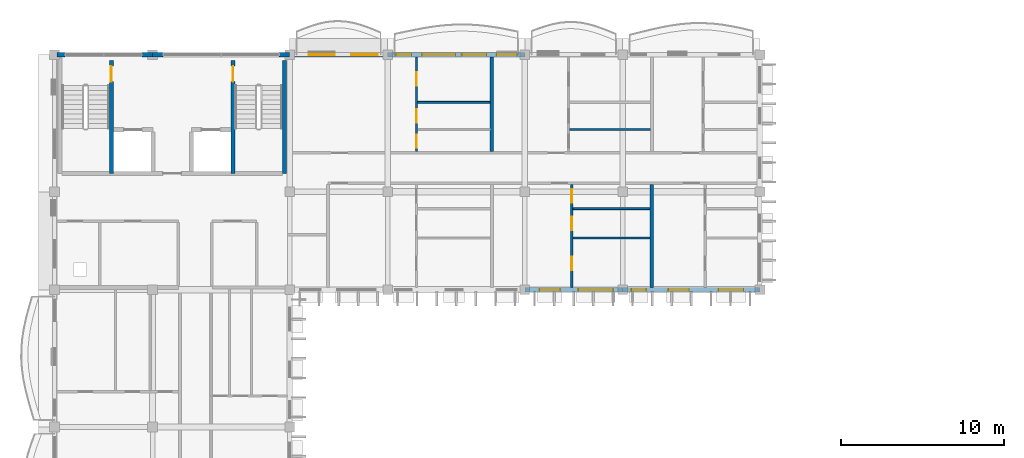
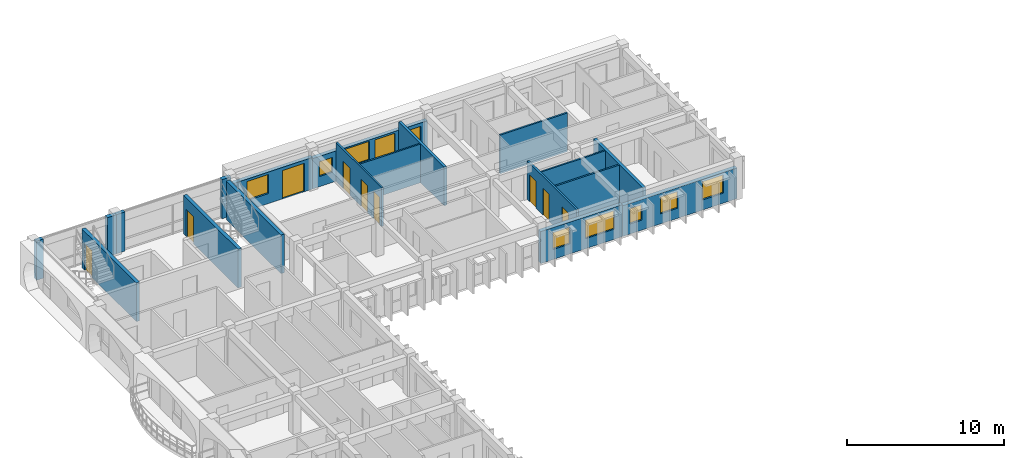
# One storey, part 20 of 59: 19 walls, 10 doors, 9 windows, 19 openings.
"""IFC4 building model written with IfcOpenShell, lengths in metres."""

from ifc_helpers import new_model, si_unit, direction, frame, frame_2d, origin, place, context, subcontext, project, spatial, rectangle, extrude, material, layer, layer_set, type_object, element, fill, save


model = new_model("IFC4")

# Units and contexts
model_context = context("Model", 3, precision=1e-05, world=origin(), true_north=direction((0.0, 1.0)))
body_context = subcontext(model_context, "Body", "Model", "MODEL_VIEW")
ifc_project = project(units=[si_unit("LENGTHUNIT", "METRE"), si_unit("AREAUNIT", "SQUARE_METRE"), si_unit("VOLUMEUNIT", "CUBIC_METRE"), si_unit("PLANEANGLEUNIT", "RADIAN"), si_unit("MASSUNIT", "GRAM", prefix="KILO"), si_unit("THERMODYNAMICTEMPERATUREUNIT", "KELVIN")], contexts=[model_context])

# Site, building, storey
site_placement = place(None, origin())
site = spatial("IfcSite", under=ifc_project, at=site_placement, CompositionType="ELEMENT")
building_placement = place(site_placement, origin())
building = spatial("IfcBuilding", under=site, at=building_placement, Name="Thalorik Housing Commons", CompositionType="ELEMENT")
storey_placement = place(building_placement, frame((0.0, 0.0, 27.89990234375)))
storey = spatial("IfcBuildingStorey", under=building, at=storey_placement, Name="L08", CompositionType="ELEMENT", Elevation=27.89990234375)

# Wall, opening, door
ifc_material_1 = material(Name="Concrete C40/50", Category="concrete")
ifc_layer_1 = layer(ifc_material_1, 0.25, Name="Concrete C40/50", Category="concrete")
ifc_layer_set_1 = layer_set([ifc_layer_1], Name="Concrete C40/50")
wall_type_1 = type_object("IfcWallType", Name="ARC-WAL-CORE-250", PredefinedType="SHEAR", material=ifc_layer_set_1)
wall_1_placement = place(storey_placement, frame((11.875, 123.25, 0.0), z_axis=(0.0, 0.0, 1.0), x_axis=(0.0, -1.0, 0.0)))
wall_1 = element("IfcWall", 1, at=wall_1_placement, inside=storey, type_object=wall_type_1, Name="L08 Core A Stair 1 Shear Wall", PredefinedType="SHEAR", context=body_context, shape_type="SweptSolid", body=[
    extrude(rectangle(XDim=6.925048828125, YDim=0.25, at=frame_2d((3.46240234375, 0.0))), origin(), (0.0, 0.0, 1.0), 3.0),
])
opening_1_placement = place(wall_1_placement, frame((0.35009765625, 0.0, 0.0)))
opening_1 = element("IfcOpeningElement", 2, at=opening_1_placement, cuts=wall_1, Name="Opening ID-0073", PredefinedType="OPENING", context=body_context, shape_type="SweptSolid", body=[
    extrude(rectangle(XDim=0.949951171875, YDim=2.10009765625, at=frame_2d((0.47509765625, 1.050048828125))), frame((0.0, 0.135009765625, 0.0), z_axis=(0.0, -1.0, 0.0), x_axis=(1.0, 0.0, 0.0)), (0.0, 0.0, 1.0), 0.27001953125),
])
ifc_material_2 = material(Name="Steel S355", Category="steel")
door_type_1 = type_object("IfcDoorType", Name="ARC-DR-FD60-950", OperationType="NOTDEFINED", PredefinedType="DOOR", material=ifc_material_2)
door_1_placement = place(opening_1_placement, origin())
door_1 = element("IfcDoor", 3, at=door_1_placement, inside=storey, type_object=door_type_1, Name="L08 Stair ST-A1 Fire Door", OperationType="SINGLE_SWING_RIGHT", OverallHeight=2.10009765625, OverallWidth=0.949951171875, PredefinedType="DOOR", context=body_context, shape_type="SweptSolid", body=[
    extrude(rectangle(XDim=0.949951171875, YDim=2.10009765625, at=frame_2d((0.47509765625, 1.050048828125))), frame((0.0, 0.02490234375, 0.0), z_axis=(0.0, -1.0, 0.0), x_axis=(1.0, 0.0, 0.0)), (0.0, 0.0, 1.0), 0.050048828125),
])
fill(opening_1, door_1)

# Wall
wall_2_placement = place(storey_placement, frame((22.47509765625, 123.25, 0.0), z_axis=(0.0, 0.0, 1.0), x_axis=(0.0, -1.0, 0.0)))
element("IfcWall", 4, at=wall_2_placement, inside=storey, type_object=wall_type_1, Name="L08 Core A Stair 2 Outer Shear Wall", PredefinedType="SHEAR", context=body_context, shape_type="SweptSolid", body=[
    extrude(rectangle(XDim=6.925048828125, YDim=0.25, at=frame_2d((3.46240234375, 0.0))), origin(), (0.0, 0.0, 1.0), 3.0),
])

# Wall, opening, door
wall_3_placement = place(storey_placement, frame((19.324951171875, 123.25, 0.0), z_axis=(0.0, 0.0, 1.0), x_axis=(0.0, -1.0, 0.0)))
wall_3 = element("IfcWall", 5, at=wall_3_placement, inside=storey, type_object=wall_type_1, Name="L08 Core A Stair 2 Shear Wall", PredefinedType="SHEAR", context=body_context, shape_type="SweptSolid", body=[
    extrude(rectangle(XDim=6.925048828125, YDim=0.25, at=frame_2d((3.46240234375, 0.0))), origin(), (0.0, 0.0, 1.0), 3.0),
])
opening_2_placement = place(wall_3_placement, frame((0.35009765625, 0.0, 0.0)))
opening_2 = element("IfcOpeningElement", 6, at=opening_2_placement, cuts=wall_3, Name="Opening ID-0074", PredefinedType="OPENING", context=body_context, shape_type="SweptSolid", body=[
    extrude(rectangle(XDim=0.949951171875, YDim=2.10009765625, at=frame_2d((0.47509765625, 1.050048828125))), frame((0.0, 0.135009765625, 0.0), z_axis=(0.0, -1.0, 0.0), x_axis=(1.0, 0.0, 0.0)), (0.0, 0.0, 1.0), 0.27001953125),
])
door_2_placement = place(opening_2_placement, origin())
door_2 = element("IfcDoor", 7, at=door_2_placement, inside=storey, type_object=door_type_1, Name="L08 Stair ST-A2 Fire Door", OperationType="SINGLE_SWING_LEFT", OverallHeight=2.10009765625, OverallWidth=0.949951171875, PredefinedType="DOOR", context=body_context, shape_type="SweptSolid", body=[
    extrude(rectangle(XDim=0.949951171875, YDim=2.10009765625, at=frame_2d((0.47509765625, 1.050048828125))), frame((0.0, 0.02490234375, 0.0), z_axis=(0.0, -1.0, 0.0), x_axis=(1.0, 0.0, 0.0)), (0.0, 0.0, 1.0), 0.050048828125),
])
fill(opening_2, door_2)

# Wall, openings, windows
ifc_material_3 = material(Name="White precast concrete C40/50", Category="concrete")
ifc_layer_2 = layer(ifc_material_3, 0.2900390625, Name="White precast concrete C40/50", Category="concrete")
ifc_layer_set_2 = layer_set([ifc_layer_2], Name="White precast concrete C40/50")
wall_type_2 = type_object("IfcWallType", Name="ARC-WAL-EXT-290", PredefinedType="STANDARD", material=ifc_layer_set_2)
wall_4_placement = place(storey_placement, frame((37.199951171875, 109.199951171875, 0.0), z_axis=(0.0, 0.0, 1.0), x_axis=(1.0, 0.0, 0.0)))
wall_4 = element("IfcWall", 8, at=wall_4_placement, inside=storey, type_object=wall_type_2, Name="L08 Exterior Wall WAL-EXT-L08-A-0215", PredefinedType="STANDARD", context=body_context, shape_type="SweptSolid", body=[
    extrude(rectangle(XDim=6.0, YDim=0.2900390625, at=frame_2d((3.0, 0.0))), origin(), (0.0, 0.0, 1.0), 2.47509765625),
])
opening_3_placement = place(wall_4_placement, frame((0.909912109375, 0.0, 0.780029296875)))
opening_3 = element("IfcOpeningElement", 9, at=opening_3_placement, cuts=wall_4, Name="Opening W-46", PredefinedType="OPENING", context=body_context, shape_type="SweptSolid", body=[
    extrude(rectangle(XDim=1.25, YDim=1.300048828125, at=frame_2d((0.625, 0.64990234375))), frame((0.0, 0.155029296875, 0.0), z_axis=(0.0, -1.0, 0.0), x_axis=(1.0, 0.0, 0.0)), (0.0, 0.0, 1.0), 0.31005859375),
])
opening_4_placement = place(wall_4_placement, frame((3.284912109375, 0.0, 0.780029296875)))
opening_4 = element("IfcOpeningElement", 10, at=opening_4_placement, cuts=wall_4, Name="Opening W-64", PredefinedType="OPENING", context=body_context, shape_type="SweptSolid", body=[
    extrude(rectangle(XDim=2.1201171875, YDim=1.43994140625, at=frame_2d((1.06005859375, 0.719970703125))), frame((0.0, 0.155029296875, 0.0), z_axis=(0.0, -1.0, 0.0), x_axis=(1.0, 0.0, 0.0)), (0.0, 0.0, 1.0), 0.31005859375),
])
ifc_material_4 = material(Name="Anodised aluminium and solar-control low-E glass", Category="aluminium")
window_type_1 = type_object("IfcWindowType", Name="ARC-WIN-46", PartitioningType="SINGLE_PANEL", PredefinedType="WINDOW", material=ifc_material_4)
window_1_placement = place(opening_3_placement, origin())
window_1 = element("IfcWindow", 11, at=window_1_placement, inside=storey, type_object=window_type_1, Name="L08 Facade Window 384", OverallHeight=1.300048828125, OverallWidth=1.25, PartitioningType="SINGLE_PANEL", PredefinedType="WINDOW", context=body_context, shape_type="SweptSolid", body=[
    extrude(rectangle(XDim=1.25, YDim=1.300048828125, at=frame_2d((0.625, 0.64990234375))), frame((0.0, 0.030029296875, 0.0), z_axis=(0.0, -1.0, 0.0), x_axis=(1.0, 0.0, 0.0)), (0.0, 0.0, 1.0), 0.06005859375),
])
fill(opening_3, window_1)
window_type_2 = type_object("IfcWindowType", Name="ARC-WIN-64", PartitioningType="DOUBLE_PANEL_VERTICAL", PredefinedType="WINDOW", material=ifc_material_4)
window_2_placement = place(opening_4_placement, origin())
window_2 = element("IfcWindow", 12, at=window_2_placement, inside=storey, type_object=window_type_2, Name="L08 Facade Window 385", OverallHeight=1.43994140625, OverallWidth=2.1201171875, PartitioningType="DOUBLE_PANEL_VERTICAL", PredefinedType="WINDOW", context=body_context, shape_type="SweptSolid", body=[
    extrude(rectangle(XDim=2.1201171875, YDim=1.43994140625, at=frame_2d((1.06005859375, 0.719970703125))), frame((0.0, 0.030029296875, 0.0), z_axis=(0.0, -1.0, 0.0), x_axis=(1.0, 0.0, 0.0)), (0.0, 0.0, 1.0), 0.06005859375),
])
fill(opening_4, window_2)

wall_5_placement = place(storey_placement, frame((43.199951171875, 109.199951171875, 0.0), z_axis=(0.0, 0.0, 1.0), x_axis=(1.0, 0.0, 0.0)))
wall_5 = element("IfcWall", 13, at=wall_5_placement, inside=storey, type_object=wall_type_2, Name="L08 Exterior Wall WAL-EXT-L08-A-0216", PredefinedType="STANDARD", context=body_context, shape_type="SweptSolid", body=[
    extrude(rectangle(XDim=8.400146484375, YDim=0.2900390625, at=frame_2d((4.2001953125, 0.0))), origin(), (0.0, 0.0, 1.0), 2.375),
])
opening_5_placement = place(wall_5_placement, frame((0.534912109375, 0.0, 0.780029296875)))
opening_5 = element("IfcOpeningElement", 14, at=opening_5_placement, cuts=wall_5, Name="Opening W-01", PredefinedType="OPENING", context=body_context, shape_type="SweptSolid", body=[
    extrude(rectangle(XDim=0.89990234375, YDim=1.199951171875, at=frame_2d((0.449951171875, 0.60009765625))), frame((0.0, 0.155029296875, 0.0), z_axis=(0.0, -1.0, 0.0), x_axis=(1.0, 0.0, 0.0)), (0.0, 0.0, 1.0), 0.31005859375),
])
opening_6_placement = place(wall_5_placement, frame((2.794921875, 0.0, 0.780029296875)))
opening_6 = element("IfcOpeningElement", 15, at=opening_6_placement, cuts=wall_5, Name="Opening W-46", PredefinedType="OPENING", context=body_context, shape_type="SweptSolid", body=[
    extrude(rectangle(XDim=1.25, YDim=1.300048828125, at=frame_2d((0.625, 0.64990234375))), frame((0.0, 0.155029296875, 0.0), z_axis=(0.0, -1.0, 0.0), x_axis=(1.0, 0.0, 0.0)), (0.0, 0.0, 1.0), 0.31005859375),
])
opening_7_placement = place(wall_5_placement, frame((5.875, 0.0, 0.780029296875)))
opening_7 = element("IfcOpeningElement", 16, at=opening_7_placement, cuts=wall_5, Name="Opening W-52", PredefinedType="OPENING", context=body_context, shape_type="SweptSolid", body=[
    extrude(rectangle(XDim=1.52001953125, YDim=1.419921875, at=frame_2d((0.760009765625, 0.7099609375))), frame((0.0, 0.155029296875, 0.0), z_axis=(0.0, -1.0, 0.0), x_axis=(1.0, 0.0, 0.0)), (0.0, 0.0, 1.0), 0.31005859375),
])
window_type_3 = type_object("IfcWindowType", Name="ARC-WIN-01", PartitioningType="SINGLE_PANEL", PredefinedType="WINDOW", material=ifc_material_4)
window_3_placement = place(opening_5_placement, origin())
window_3 = element("IfcWindow", 17, at=window_3_placement, inside=storey, type_object=window_type_3, Name="L08 Facade Window 386", OverallHeight=1.199951171875, OverallWidth=0.89990234375, PartitioningType="SINGLE_PANEL", PredefinedType="WINDOW", context=body_context, shape_type="SweptSolid", body=[
    extrude(rectangle(XDim=0.89990234375, YDim=1.199951171875, at=frame_2d((0.449951171875, 0.60009765625))), frame((0.0, 0.030029296875, 0.0), z_axis=(0.0, -1.0, 0.0), x_axis=(1.0, 0.0, 0.0)), (0.0, 0.0, 1.0), 0.06005859375),
])
fill(opening_5, window_3)
window_4_placement = place(opening_6_placement, origin())
window_4 = element("IfcWindow", 18, at=window_4_placement, inside=storey, type_object=window_type_1, Name="L08 Facade Window 387", OverallHeight=1.300048828125, OverallWidth=1.25, PartitioningType="SINGLE_PANEL", PredefinedType="WINDOW", context=body_context, shape_type="SweptSolid", body=[
    extrude(rectangle(XDim=1.25, YDim=1.300048828125, at=frame_2d((0.625, 0.64990234375))), frame((0.0, 0.030029296875, 0.0), z_axis=(0.0, -1.0, 0.0), x_axis=(1.0, 0.0, 0.0)), (0.0, 0.0, 1.0), 0.06005859375),
])
fill(opening_6, window_4)
window_type_4 = type_object("IfcWindowType", Name="ARC-WIN-52", PartitioningType="SINGLE_PANEL", PredefinedType="WINDOW", material=ifc_material_4)
window_5_placement = place(opening_7_placement, origin())
window_5 = element("IfcWindow", 19, at=window_5_placement, inside=storey, type_object=window_type_4, Name="L08 Facade Window 388", OverallHeight=1.419921875, OverallWidth=1.52001953125, PartitioningType="SINGLE_PANEL", PredefinedType="WINDOW", context=body_context, shape_type="SweptSolid", body=[
    extrude(rectangle(XDim=1.52001953125, YDim=1.419921875, at=frame_2d((0.760009765625, 0.7099609375))), frame((0.0, 0.030029296875, 0.0), z_axis=(0.0, -1.0, 0.0), x_axis=(1.0, 0.0, 0.0)), (0.0, 0.0, 1.0), 0.06005859375),
])
fill(opening_7, window_5)

# Wall, openings, door, windows
wall_6_placement = place(storey_placement, frame((37.199951171875, 123.60009765625, 0.0), z_axis=(0.0, 0.0, 1.0), x_axis=(-1.0, 0.0, 0.0)))
wall_6 = element("IfcWall", 20, at=wall_6_placement, inside=storey, type_object=wall_type_2, Name="L08 Exterior Wall WAL-EXT-L08-A-0221", PredefinedType="STANDARD", context=body_context, shape_type="SweptSolid", body=[
    extrude(rectangle(XDim=8.39990234375, YDim=0.2900390625, at=frame_2d((4.199951171875, 0.0))), origin(), (0.0, 0.0, 1.0), 2.34521484375),
])
opening_8_placement = place(wall_6_placement, frame((2.35009765625, 0.0, 0.0)))
opening_8 = element("IfcOpeningElement", 21, at=opening_8_placement, cuts=wall_6, Name="Opening ED-0070", PredefinedType="OPENING", context=body_context, shape_type="SweptSolid", body=[
    extrude(rectangle(XDim=1.5, YDim=2.199951171875, at=frame_2d((0.75, 1.10009765625))), frame((0.0, 0.155029296875, 0.0), z_axis=(0.0, -1.0, 0.0), x_axis=(1.0, 0.0, 0.0)), (0.0, 0.0, 1.0), 0.31005859375),
])
opening_9_placement = place(wall_6_placement, frame((0.47998046875, 0.0, 0.780029296875)))
opening_9 = element("IfcOpeningElement", 22, at=opening_9_placement, cuts=wall_6, Name="Opening W-46", PredefinedType="OPENING", context=body_context, shape_type="SweptSolid", body=[
    extrude(rectangle(XDim=1.25, YDim=1.300048828125, at=frame_2d((0.625, 0.64990234375))), frame((0.0, 0.155029296875, 0.0), z_axis=(0.0, -1.0, 0.0), x_axis=(1.0, 0.0, 0.0)), (0.0, 0.0, 1.0), 0.31005859375),
])
opening_10_placement = place(wall_6_placement, frame((4.247802734375, 0.0, 0.780029296875)))
opening_10 = element("IfcOpeningElement", 23, at=opening_10_placement, cuts=wall_6, Name="Opening W-62", PredefinedType="OPENING", context=body_context, shape_type="SweptSolid", body=[
    extrude(rectangle(XDim=2.0400390625, YDim=1.4599609375, at=frame_2d((1.02001953125, 0.72998046875))), frame((0.0, 0.155029296875, 0.0), z_axis=(0.0, -1.0, 0.0), x_axis=(1.0, 0.0, 0.0)), (0.0, 0.0, 1.0), 0.31005859375),
])
opening_11_placement = place(wall_6_placement, frame((6.94775390625, 0.0, 0.780029296875)))
opening_11 = element("IfcOpeningElement", 24, at=opening_11_placement, cuts=wall_6, Name="Opening W-43", PredefinedType="OPENING", context=body_context, shape_type="SweptSolid", body=[
    extrude(rectangle(XDim=0.949951171875, YDim=1.14990234375, at=frame_2d((0.47509765625, 0.574951171875))), frame((0.0, 0.155029296875, 0.0), z_axis=(0.0, -1.0, 0.0), x_axis=(1.0, 0.0, 0.0)), (0.0, 0.0, 1.0), 0.31005859375),
])
ifc_material_5 = material(Name="Anodised aluminium and laminated safety glass", Category="aluminium")
door_type_2 = type_object("IfcDoorType", Name="ARC-DR-BAL-1500", OperationType="NOTDEFINED", PredefinedType="DOOR", material=ifc_material_5)
door_3_placement = place(opening_8_placement, frame((1.5, 0.0, 0.0), z_axis=(0.0, 0.0, 1.0), x_axis=(-1.0, 0.0, 0.0)))
door_3 = element("IfcDoor", 25, at=door_3_placement, inside=storey, type_object=door_type_2, Name="L08 Block A Balcony Glazed Door", OperationType="SLIDING_TO_RIGHT", OverallHeight=2.199951171875, OverallWidth=1.5, PredefinedType="DOOR", context=body_context, shape_type="SweptSolid", body=[
    extrude(rectangle(XDim=1.5, YDim=2.199951171875, at=frame_2d((0.75, 1.10009765625))), frame((0.0, 0.02490234375, 0.0), z_axis=(0.0, -1.0, 0.0), x_axis=(1.0, 0.0, 0.0)), (0.0, 0.0, 1.0), 0.050048828125),
])
fill(opening_8, door_3)
window_type_5 = type_object("IfcWindowType", Name="ARC-WIN-43", PartitioningType="SINGLE_PANEL", PredefinedType="WINDOW", material=ifc_material_4)
window_6_placement = place(opening_11_placement, origin())
window_6 = element("IfcWindow", 26, at=window_6_placement, inside=storey, type_object=window_type_5, Name="L08 Facade Window 399", OverallHeight=1.14990234375, OverallWidth=0.949951171875, PartitioningType="SINGLE_PANEL", PredefinedType="WINDOW", context=body_context, shape_type="SweptSolid", body=[
    extrude(rectangle(XDim=0.949951171875, YDim=1.14990234375, at=frame_2d((0.47509765625, 0.574951171875))), frame((0.0, 0.030029296875, 0.0), z_axis=(0.0, -1.0, 0.0), x_axis=(1.0, 0.0, 0.0)), (0.0, 0.0, 1.0), 0.06005859375),
])
fill(opening_11, window_6)
window_7_placement = place(opening_9_placement, origin())
window_7 = element("IfcWindow", 27, at=window_7_placement, inside=storey, type_object=window_type_1, Name="L08 Facade Window 397", OverallHeight=1.300048828125, OverallWidth=1.25, PartitioningType="SINGLE_PANEL", PredefinedType="WINDOW", context=body_context, shape_type="SweptSolid", body=[
    extrude(rectangle(XDim=1.25, YDim=1.300048828125, at=frame_2d((0.625, 0.64990234375))), frame((0.0, 0.030029296875, 0.0), z_axis=(0.0, -1.0, 0.0), x_axis=(1.0, 0.0, 0.0)), (0.0, 0.0, 1.0), 0.06005859375),
])
fill(opening_9, window_7)
window_type_6 = type_object("IfcWindowType", Name="ARC-WIN-62", PartitioningType="DOUBLE_PANEL_VERTICAL", PredefinedType="WINDOW", material=ifc_material_4)
window_8_placement = place(opening_10_placement, origin())
window_8 = element("IfcWindow", 28, at=window_8_placement, inside=storey, type_object=window_type_6, Name="L08 Facade Window 398", OverallHeight=1.4599609375, OverallWidth=2.0400390625, PartitioningType="DOUBLE_PANEL_VERTICAL", PredefinedType="WINDOW", context=body_context, shape_type="SweptSolid", body=[
    extrude(rectangle(XDim=2.0400390625, YDim=1.4599609375, at=frame_2d((1.02001953125, 0.72998046875))), frame((0.0, 0.030029296875, 0.0), z_axis=(0.0, -1.0, 0.0), x_axis=(1.0, 0.0, 0.0)), (0.0, 0.0, 1.0), 0.06005859375),
])
fill(opening_10, window_8)

# Wall, openings, door, window
wall_7_placement = place(storey_placement, frame((28.800048828125, 123.60009765625, 0.0), z_axis=(0.0, 0.0, 1.0), x_axis=(-1.0, 0.0, 0.0)))
wall_7 = element("IfcWall", 29, at=wall_7_placement, inside=storey, type_object=wall_type_2, Name="L08 Exterior Wall WAL-EXT-L08-A-0222", PredefinedType="STANDARD", context=body_context, shape_type="SweptSolid", body=[
    extrude(rectangle(XDim=6.0, YDim=0.2900390625, at=frame_2d((3.0, 0.0))), origin(), (0.0, 0.0, 1.0), 2.445068359375),
])
opening_12_placement = place(wall_7_placement, frame((0.6201171875, 0.0, 0.0)))
opening_12 = element("IfcOpeningElement", 30, at=opening_12_placement, cuts=wall_7, Name="Opening ED-0071", PredefinedType="OPENING", context=body_context, shape_type="SweptSolid", body=[
    extrude(rectangle(XDim=1.60009765625, YDim=2.199951171875, at=frame_2d((0.800048828125, 1.10009765625))), frame((0.0, 0.155029296875, 0.0), z_axis=(0.0, -1.0, 0.0), x_axis=(1.0, 0.0, 0.0)), (0.0, 0.0, 1.0), 0.31005859375),
])
opening_13_placement = place(wall_7_placement, frame((3.25, 0.0, 0.780029296875)))
opening_13 = element("IfcOpeningElement", 31, at=opening_13_placement, cuts=wall_7, Name="Opening W-53", PredefinedType="OPENING", context=body_context, shape_type="SweptSolid", body=[
    extrude(rectangle(XDim=1.580078125, YDim=1.47998046875, at=frame_2d((0.7900390625, 0.739990234375))), frame((0.0, 0.155029296875, 0.0), z_axis=(0.0, -1.0, 0.0), x_axis=(1.0, 0.0, 0.0)), (0.0, 0.0, 1.0), 0.31005859375),
])
door_type_3 = type_object("IfcDoorType", Name="ARC-DR-BAL-1600", OperationType="NOTDEFINED", PredefinedType="DOOR", material=ifc_material_5)
door_4_placement = place(opening_12_placement, frame((1.60009765625, 0.0, 0.0), z_axis=(0.0, 0.0, 1.0), x_axis=(-1.0, 0.0, 0.0)))
door_4 = element("IfcDoor", 32, at=door_4_placement, inside=storey, type_object=door_type_3, Name="L08 Block A Balcony Glazed Door", OperationType="SLIDING_TO_LEFT", OverallHeight=2.199951171875, OverallWidth=1.60009765625, PredefinedType="DOOR", context=body_context, shape_type="SweptSolid", body=[
    extrude(rectangle(XDim=1.60009765625, YDim=2.199951171875, at=frame_2d((0.800048828125, 1.10009765625))), frame((0.0, 0.02490234375, 0.0), z_axis=(0.0, -1.0, 0.0), x_axis=(1.0, 0.0, 0.0)), (0.0, 0.0, 1.0), 0.050048828125),
])
fill(opening_12, door_4)
window_type_7 = type_object("IfcWindowType", Name="ARC-WIN-53", PartitioningType="SINGLE_PANEL", PredefinedType="WINDOW", material=ifc_material_4)
window_9_placement = place(opening_13_placement, origin())
window_9 = element("IfcWindow", 33, at=window_9_placement, inside=storey, type_object=window_type_7, Name="L08 Facade Window 400", OverallHeight=1.47998046875, OverallWidth=1.580078125, PartitioningType="SINGLE_PANEL", PredefinedType="WINDOW", context=body_context, shape_type="SweptSolid", body=[
    extrude(rectangle(XDim=1.580078125, YDim=1.47998046875, at=frame_2d((0.7900390625, 0.739990234375))), frame((0.0, 0.030029296875, 0.0), z_axis=(0.0, -1.0, 0.0), x_axis=(1.0, 0.0, 0.0)), (0.0, 0.0, 1.0), 0.06005859375),
])
fill(opening_13, window_9)

# Walls
for number, where, z_axis, x_axis, name in (
    (34, (22.800048828125, 123.60009765625, 0.0), (0.0, 0.0, 1.0), (-1.0, 0.0, 0.0), "L08 Exterior Wall WAL-PIERL-L08-A-0223"),
    (35, (15.050048828125, 123.60009765625, 0.0), (0.0, 0.0, 1.0), (-1.0, 0.0, 0.0), "L08 Exterior Wall WAL-PIERR-L08-A-0223"),
):
    element("IfcWall", number, at=place(storey_placement, frame(where, z_axis=z_axis, x_axis=x_axis)), inside=storey, type_object=wall_type_2, Name=name, PredefinedType="STANDARD", context=body_context, shape_type="SweptSolid", body=[
        extrude(rectangle(XDim=0.650146484375, YDim=0.2900390625, at=frame_2d((0.3251953125, 0.0))), origin(), (0.0, 0.0, 1.0), 3.0400390625),
    ])
wall_8_placement = place(storey_placement, frame((14.39990234375, 123.60009765625, 0.0), z_axis=(0.0, 0.0, 1.0), x_axis=(-1.0, 0.0, 0.0)))
element("IfcWall", 36, at=wall_8_placement, inside=storey, type_object=wall_type_2, Name="L08 Exterior Wall WAL-PIERL-L08-A-0224", PredefinedType="STANDARD", context=body_context, shape_type="SweptSolid", body=[
    extrude(rectangle(XDim=0.64990234375, YDim=0.2900390625, at=frame_2d((0.324951171875, 0.0))), origin(), (0.0, 0.0, 1.0), 3.0400390625),
])
wall_9_placement = place(storey_placement, frame((9.050048828125, 123.60009765625, 0.0), z_axis=(0.0, 0.0, 1.0), x_axis=(-1.0, 0.0, 0.0)))
element("IfcWall", 37, at=wall_9_placement, inside=storey, type_object=wall_type_2, Name="L08 Exterior Wall WAL-PIERR-L08-A-0224", PredefinedType="STANDARD", context=body_context, shape_type="SweptSolid", body=[
    extrude(rectangle(XDim=0.5029296875, YDim=0.2900390625, at=frame_2d((0.25146484375, 0.0))), origin(), (0.0, 0.0, 1.0), 3.0400390625),
])
ifc_material_6 = material(Name="Gypsum moisture-resistant partition", Category="masonry")
ifc_layer_3 = layer(ifc_material_6, 0.114990234375, Name="Gypsum moisture-resistant partition", Category="masonry")
ifc_layer_set_3 = layer_set([ifc_layer_3], Name="Gypsum moisture-resistant partition")
wall_type_3 = type_object("IfcWallType", Name="ARC-WAL-PART-115", PredefinedType="PARTITIONING", material=ifc_layer_set_3)
wall_10_placement = place(storey_placement, frame((30.62890625, 120.67919921875, 0.0), z_axis=(0.0, 0.0, 1.0), x_axis=(1.0, 0.0, 0.0)))
element("IfcWall", 38, at=wall_10_placement, inside=storey, type_object=wall_type_3, Name="L08 Unit 1B Bedroom Partition", PredefinedType="PARTITIONING", context=body_context, shape_type="SweptSolid", body=[
    extrude(rectangle(XDim=4.448974609375, YDim=0.114990234375, at=frame_2d((2.224609375, 0.0))), origin(), (0.0, 0.0, 1.0), 3.0),
])
wall_11_placement = place(storey_placement, frame((40.152099609375, 114.169677734375, 0.0), z_axis=(0.0, 0.0, 1.0), x_axis=(1.0, 0.0, 0.0)))
element("IfcWall", 39, at=wall_11_placement, inside=storey, type_object=wall_type_3, Name="L08 Unit 2 Wet Wall", PredefinedType="PARTITIONING", context=body_context, shape_type="SweptSolid", body=[
    extrude(rectangle(XDim=4.7158203125, YDim=0.114990234375, at=frame_2d((2.35791015625, 0.0))), origin(), (0.0, 0.0, 1.0), 3.0),
])

# Wall, openings, doors
ifc_material_7 = material(Name="Gypsum acoustic stud partition", Category="masonry")
ifc_layer_4 = layer(ifc_material_7, 0.125, Name="Gypsum acoustic stud partition", Category="masonry")
ifc_layer_set_4 = layer_set([ifc_layer_4], Name="Gypsum acoustic stud partition")
wall_type_4 = type_object("IfcWallType", Name="ARC-WAL-PART-125", PredefinedType="PARTITIONING", material=ifc_layer_set_4)
wall_12_placement = place(storey_placement, frame((30.564453125, 117.656982421875, 0.0), z_axis=(0.0, 0.0, 1.0), x_axis=(0.0, 1.0, 0.0)))
wall_12 = element("IfcWall", 40, at=wall_12_placement, inside=storey, type_object=wall_type_4, Name="L08 Unit 1B Spine Partition", PredefinedType="PARTITIONING", context=body_context, shape_type="SweptSolid", body=[
    extrude(rectangle(XDim=5.7958984375, YDim=0.125, at=frame_2d((2.89794921875, 0.0))), origin(), (0.0, 0.0, 1.0), 3.0),
])
opening_14_placement = place(wall_12_placement, frame((0.23828125, 0.0, 0.0)))
opening_14 = element("IfcOpeningElement", 41, at=opening_14_placement, cuts=wall_12, Name="Opening ID-0728", PredefinedType="OPENING", context=body_context, shape_type="SweptSolid", body=[
    extrude(rectangle(XDim=0.800048828125, YDim=2.10009765625, at=frame_2d((0.39990234375, 1.050048828125))), frame((0.0, 0.072509765625, 0.0), z_axis=(0.0, -1.0, 0.0), x_axis=(1.0, 0.0, 0.0)), (0.0, 0.0, 1.0), 0.14501953125),
])
opening_15_placement = place(wall_12_placement, frame((1.7626953125, 0.0, 0.0)))
opening_15 = element("IfcOpeningElement", 42, at=opening_15_placement, cuts=wall_12, Name="Opening ID-0729", PredefinedType="OPENING", context=body_context, shape_type="SweptSolid", body=[
    extrude(rectangle(XDim=0.85009765625, YDim=2.10009765625, at=frame_2d((0.425048828125, 1.050048828125))), frame((0.0, 0.072509765625, 0.0), z_axis=(0.0, -1.0, 0.0), x_axis=(1.0, 0.0, 0.0)), (0.0, 0.0, 1.0), 0.14501953125),
])
opening_16_placement = place(wall_12_placement, frame((4.027587890625, 0.0, 0.0)))
opening_16 = element("IfcOpeningElement", 43, at=opening_16_placement, cuts=wall_12, Name="Opening ID-0730", PredefinedType="OPENING", context=body_context, shape_type="SweptSolid", body=[
    extrude(rectangle(XDim=0.85009765625, YDim=2.10009765625, at=frame_2d((0.425048828125, 1.050048828125))), frame((0.0, 0.072509765625, 0.0), z_axis=(0.0, -1.0, 0.0), x_axis=(1.0, 0.0, 0.0)), (0.0, 0.0, 1.0), 0.14501953125),
])
ifc_material_8 = material(Name="Moisture-resistant timber", Category="wood")
door_type_4 = type_object("IfcDoorType", Name="ARC-DR-INT-800", OperationType="NOTDEFINED", PredefinedType="DOOR", material=ifc_material_8)
door_5_placement = place(opening_14_placement, origin())
door_5 = element("IfcDoor", 44, at=door_5_placement, inside=storey, type_object=door_type_4, Name="L08 Flat Bathroom Door", OperationType="SINGLE_SWING_LEFT", OverallHeight=2.10009765625, OverallWidth=0.800048828125, PredefinedType="DOOR", context=body_context, shape_type="SweptSolid", body=[
    extrude(rectangle(XDim=0.800048828125, YDim=2.10009765625, at=frame_2d((0.39990234375, 1.050048828125))), frame((0.0, 0.02490234375, 0.0), z_axis=(0.0, -1.0, 0.0), x_axis=(1.0, 0.0, 0.0)), (0.0, 0.0, 1.0), 0.050048828125),
])
fill(opening_14, door_5)
ifc_material_9 = material(Name="Engineered oak timber", Category="wood")
door_type_5 = type_object("IfcDoorType", Name="ARC-DR-INT-850", OperationType="NOTDEFINED", PredefinedType="DOOR", material=ifc_material_9)
door_6_placement = place(opening_15_placement, origin())
door_6 = element("IfcDoor", 45, at=door_6_placement, inside=storey, type_object=door_type_5, Name="L08 Galley Kitchen Door", OperationType="SINGLE_SWING_RIGHT", OverallHeight=2.10009765625, OverallWidth=0.85009765625, PredefinedType="DOOR", context=body_context, shape_type="SweptSolid", body=[
    extrude(rectangle(XDim=0.85009765625, YDim=2.10009765625, at=frame_2d((0.425048828125, 1.050048828125))), frame((0.0, 0.02490234375, 0.0), z_axis=(0.0, -1.0, 0.0), x_axis=(1.0, 0.0, 0.0)), (0.0, 0.0, 1.0), 0.050048828125),
])
fill(opening_15, door_6)
door_7_placement = place(opening_16_placement, origin())
door_7 = element("IfcDoor", 46, at=door_7_placement, inside=storey, type_object=door_type_5, Name="L08 Double Bedroom Door", OperationType="SINGLE_SWING_LEFT", OverallHeight=2.10009765625, OverallWidth=0.85009765625, PredefinedType="DOOR", context=body_context, shape_type="SweptSolid", body=[
    extrude(rectangle(XDim=0.85009765625, YDim=2.10009765625, at=frame_2d((0.425048828125, 1.050048828125))), frame((0.0, 0.02490234375, 0.0), z_axis=(0.0, -1.0, 0.0), x_axis=(1.0, 0.0, 0.0)), (0.0, 0.0, 1.0), 0.050048828125),
])
fill(opening_16, door_7)

# Walls
wall_13_placement = place(storey_placement, frame((40.152099609375, 112.36083984375, 0.0), z_axis=(0.0, 0.0, 1.0), x_axis=(1.0, 0.0, 0.0)))
element("IfcWall", 47, at=wall_13_placement, inside=storey, type_object=wall_type_4, Name="L08 Unit 2 Bedroom Partition", PredefinedType="PARTITIONING", context=body_context, shape_type="SweptSolid", body=[
    extrude(rectangle(XDim=4.7158203125, YDim=0.125, at=frame_2d((2.35791015625, 0.0))), origin(), (0.0, 0.0, 1.0), 3.0),
])
wall_14_placement = place(storey_placement, frame((39.93603515625, 119.010498046875, 0.0), z_axis=(0.0, 0.0, 1.0), x_axis=(1.0, 0.0, 0.0)))
element("IfcWall", 48, at=wall_14_placement, inside=storey, type_object=wall_type_4, Name="L08 Unit 2B Wet Wall", PredefinedType="PARTITIONING", context=body_context, shape_type="SweptSolid", body=[
    extrude(rectangle(XDim=4.949462890625, YDim=0.125, at=frame_2d((2.474609375, 0.0))), origin(), (0.0, 0.0, 1.0), 3.0),
])

# Wall, openings, doors
ifc_material_10 = material(Name="Ceramic masonry partition wall", Category="masonry")
ifc_layer_5 = layer(ifc_material_10, 0.139892578125, Name="Ceramic masonry partition wall", Category="masonry")
ifc_layer_set_5 = layer_set([ifc_layer_5], Name="Ceramic masonry partition wall")
wall_type_5 = type_object("IfcWallType", Name="ARC-WAL-PART-140", PredefinedType="PARTITIONING", material=ifc_layer_set_5)
wall_15_placement = place(storey_placement, frame((40.080078125, 109.346923828125, 0.0), z_axis=(0.0, 0.0, 1.0), x_axis=(0.0, 1.0, 0.0)))
wall_15 = element("IfcWall", 49, at=wall_15_placement, inside=storey, type_object=wall_type_5, Name="L08 Unit 2 Spine Partition", PredefinedType="PARTITIONING", context=body_context, shape_type="SweptSolid", body=[
    extrude(rectangle(XDim=6.28857421875, YDim=0.139892578125, at=frame_2d((3.144287109375, 0.0))), origin(), (0.0, 0.0, 1.0), 3.0),
])
opening_17_placement = place(wall_15_placement, frame((1.038330078125, 0.0, 0.0)))
opening_17 = element("IfcOpeningElement", 50, at=opening_17_placement, cuts=wall_15, Name="Opening ID-0731", PredefinedType="OPENING", context=body_context, shape_type="SweptSolid", body=[
    extrude(rectangle(XDim=0.85009765625, YDim=2.10009765625, at=frame_2d((0.425048828125, 1.050048828125))), frame((0.0, 0.080078125, 0.0), z_axis=(0.0, -1.0, 0.0), x_axis=(1.0, 0.0, 0.0)), (0.0, 0.0, 1.0), 0.159912109375),
])
opening_18_placement = place(wall_15_placement, frame((3.4931640625, 0.0, 0.0)))
opening_18 = element("IfcOpeningElement", 51, at=opening_18_placement, cuts=wall_15, Name="Opening ID-0732", PredefinedType="OPENING", context=body_context, shape_type="SweptSolid", body=[
    extrude(rectangle(XDim=0.820068359375, YDim=2.080078125, at=frame_2d((0.41015625, 1.0400390625))), frame((0.0, 0.080078125, 0.0), z_axis=(0.0, -1.0, 0.0), x_axis=(1.0, 0.0, 0.0)), (0.0, 0.0, 1.0), 0.159912109375),
])
opening_19_placement = place(wall_15_placement, frame((5.19775390625, 0.0, 0.0)))
opening_19 = element("IfcOpeningElement", 52, at=opening_19_placement, cuts=wall_15, Name="Opening ID-0733", PredefinedType="OPENING", context=body_context, shape_type="SweptSolid", body=[
    extrude(rectangle(XDim=0.800048828125, YDim=2.10009765625, at=frame_2d((0.39990234375, 1.050048828125))), frame((0.0, 0.080078125, 0.0), z_axis=(0.0, -1.0, 0.0), x_axis=(1.0, 0.0, 0.0)), (0.0, 0.0, 1.0), 0.159912109375),
])
door_8_placement = place(opening_19_placement, origin())
door_8 = element("IfcDoor", 53, at=door_8_placement, inside=storey, type_object=door_type_4, Name="L08 Flat Bathroom Door", OperationType="SINGLE_SWING_RIGHT", OverallHeight=2.10009765625, OverallWidth=0.800048828125, PredefinedType="DOOR", context=body_context, shape_type="SweptSolid", body=[
    extrude(rectangle(XDim=0.800048828125, YDim=2.10009765625, at=frame_2d((0.39990234375, 1.050048828125))), frame((0.0, 0.02490234375, 0.0), z_axis=(0.0, -1.0, 0.0), x_axis=(1.0, 0.0, 0.0)), (0.0, 0.0, 1.0), 0.050048828125),
])
fill(opening_19, door_8)
door_type_6 = type_object("IfcDoorType", Name="ARC-DR-INT-820", OperationType="NOTDEFINED", PredefinedType="DOOR", material=ifc_material_9)
door_9_placement = place(opening_18_placement, origin())
door_9 = element("IfcDoor", 54, at=door_9_placement, inside=storey, type_object=door_type_6, Name="L08 Galley Kitchen Door", OperationType="SINGLE_SWING_LEFT", OverallHeight=2.080078125, OverallWidth=0.820068359375, PredefinedType="DOOR", context=body_context, shape_type="SweptSolid", body=[
    extrude(rectangle(XDim=0.820068359375, YDim=2.080078125, at=frame_2d((0.41015625, 1.0400390625))), frame((0.0, 0.02490234375, 0.0), z_axis=(0.0, -1.0, 0.0), x_axis=(1.0, 0.0, 0.0)), (0.0, 0.0, 1.0), 0.050048828125),
])
fill(opening_18, door_9)
door_10_placement = place(opening_17_placement, origin())
door_10 = element("IfcDoor", 55, at=door_10_placement, inside=storey, type_object=door_type_5, Name="L08 Double Bedroom Door", OperationType="SINGLE_SWING_RIGHT", OverallHeight=2.10009765625, OverallWidth=0.85009765625, PredefinedType="DOOR", context=body_context, shape_type="SweptSolid", body=[
    extrude(rectangle(XDim=0.85009765625, YDim=2.10009765625, at=frame_2d((0.425048828125, 1.050048828125))), frame((0.0, 0.02490234375, 0.0), z_axis=(0.0, -1.0, 0.0), x_axis=(1.0, 0.0, 0.0)), (0.0, 0.0, 1.0), 0.050048828125),
])
fill(opening_17, door_10)

# Walls
ifc_material_11 = material(Name="Precast concrete C40/50 acoustic wall", Category="concrete")
ifc_layer_6 = layer(ifc_material_11, 0.199951171875, Name="Precast concrete C40/50 acoustic wall", Category="concrete")
ifc_layer_set_6 = layer_set([ifc_layer_6], Name="Precast concrete C40/50 acoustic wall")
wall_type_6 = type_object("IfcWallType", Name="ARC-WAL-PARTY-200", PredefinedType="PARTITIONING", material=ifc_layer_set_6)
wall_16_placement = place(storey_placement, frame((35.179931640625, 117.656982421875, 0.0), z_axis=(0.0, 0.0, 1.0), x_axis=(0.0, 1.0, 0.0)))
element("IfcWall", 56, at=wall_16_placement, inside=storey, type_object=wall_type_6, Name="L08 Inter-Tenancy Wall 1B", PredefinedType="PARTITIONING", context=body_context, shape_type="SweptSolid", body=[
    extrude(rectangle(XDim=5.7958984375, YDim=0.199951171875, at=frame_2d((2.89794921875, 0.0))), origin(), (0.0, 0.0, 1.0), 3.0),
])
ifc_layer_7 = layer(ifc_material_11, 0.219970703125, Name="Precast concrete C40/50 acoustic wall", Category="concrete")
ifc_layer_set_7 = layer_set([ifc_layer_7], Name="Precast concrete C40/50 acoustic wall")
wall_type_7 = type_object("IfcWallType", Name="ARC-WAL-PARTY-220", PredefinedType="PARTITIONING", material=ifc_layer_set_7)
wall_17_placement = place(storey_placement, frame((44.97998046875, 109.346923828125, 0.0), z_axis=(0.0, 0.0, 1.0), x_axis=(0.0, 1.0, 0.0)))
element("IfcWall", 57, at=wall_17_placement, inside=storey, type_object=wall_type_7, Name="L08 Inter-Tenancy Wall 2A", PredefinedType="PARTITIONING", context=body_context, shape_type="SweptSolid", body=[
    extrude(rectangle(XDim=6.28857421875, YDim=0.219970703125, at=frame_2d((3.144287109375, 0.0))), origin(), (0.0, 0.0, 1.0), 3.0),
])

save(model, "model.ifc")
